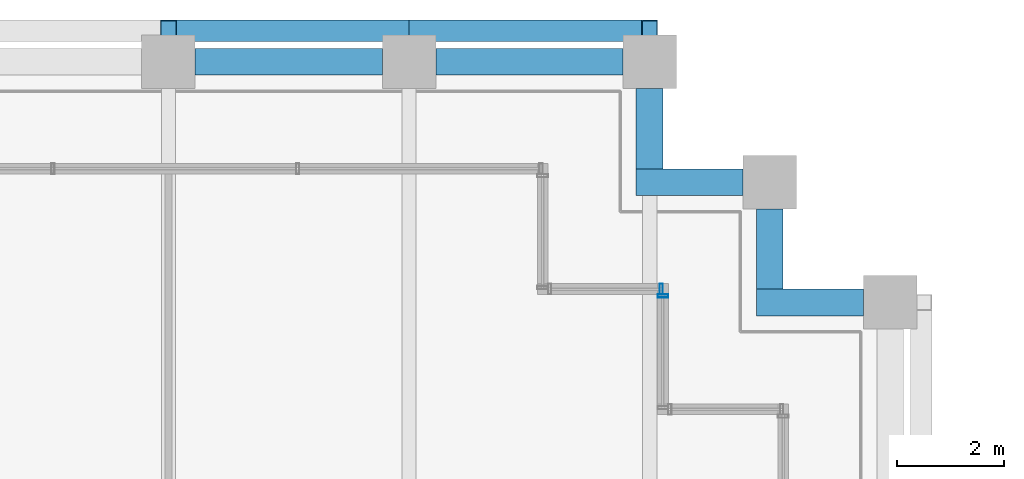
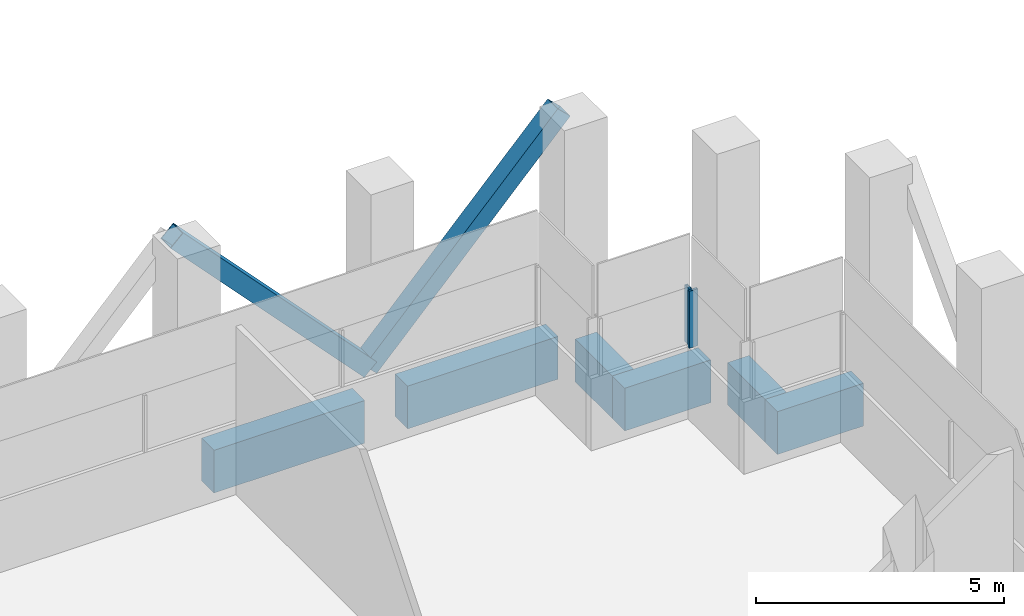
# One storey, part 20 of 48: 6 beams, 4 members, 2 elements without a shape of their own.
"""IFC4 building model written with IfcOpenShell, lengths in metres."""

from ifc_helpers import new_model, si_unit, direction, frame, origin, origin_2d, place, context, subcontext, project, spatial, rectangle, hollow_rectangle, extrude, material, material_profile, profile_set, type_object, element, aggregate, save


model = new_model("IFC4")

# Units and contexts
model_context = context("Model", 3, precision=1e-05, world=origin(), true_north=direction((0.0, 1.0)))
body_context = subcontext(model_context, "Body", "Model", "MODEL_VIEW")
ifc_project = project(units=[si_unit("LENGTHUNIT", "METRE"), si_unit("AREAUNIT", "SQUARE_METRE"), si_unit("VOLUMEUNIT", "CUBIC_METRE"), si_unit("PLANEANGLEUNIT", "RADIAN"), si_unit("MASSUNIT", "GRAM", prefix="KILO")], contexts=[model_context])

# Site, building, storey
site_placement = place(None, origin())
site = spatial("IfcSite", under=ifc_project, at=site_placement, CompositionType="ELEMENT")
building_placement = place(site_placement, origin())
building = spatial("IfcBuilding", under=site, at=building_placement, Name="Altepetl Exchange Towers", CompositionType="ELEMENT")
storey_placement = place(building_placement, frame((0.0, 0.0, 138.800048828125)))
storey = spatial("IfcBuildingStorey", under=building, at=storey_placement, Name="L34 Refuge and sky lobby", CompositionType="ELEMENT", Elevation=138.800048828125)

# Members
ifc_material_1 = material(Name="Steel S355", Category="steel")
ifc_material_profile_1 = material_profile(ifc_material_1, hollow_rectangle(XDim=0.406005859375, YDim=0.406005859375, WallThickness=0.014892578125, at=origin_2d()), Name="HSS406X406X15.9")
ifc_profile_set_1 = profile_set([ifc_material_profile_1], Name="Steel S355")
member_type_1 = type_object("IfcMemberType", Name="Belt diagonal HSS406X406X15.9", PredefinedType="BRACE", material=ifc_profile_set_1)
for number, where, z_axis, x_axis, name in (
    (1, (67.5, 72.580078125, 4.75), (-0.687744647911, 0.0, -0.725952683906), (0.0, -1.0, 0.0), "brc:A:L34:013"),
    (2, (63.0, 72.580078125, 0.0), (-0.687744647911, 0.0, 0.725952683906), (0.0, -1.0, 0.0), "brc:A:L34:014"),
):
    element("IfcMember", number, at=place(storey_placement, frame(where, z_axis=z_axis, x_axis=x_axis)), inside=storey, type_object=member_type_1, Name=name, PredefinedType="BRACE", context=body_context, shape_type="SweptSolid", body=[
        extrude(hollow_rectangle(XDim=0.406005859375, YDim=0.406005859375, WallThickness=0.014892578125, at=origin_2d()), origin(), (0.0, 0.0, 1.0), 6.543212890625),
    ])

# Curtain wall, member
ifc_material_2 = material(Name="Aluminium 6063-T6 glazing", Category="aluminium")
curtain_wall_type = type_object("IfcCurtainWallType", Name="Refuge slit glazing system", PredefinedType="NOTDEFINED", material=ifc_material_2)
curtain_wall_1_placement = place(storey_placement, origin())
curtain_wall_1 = element("IfcCurtainWall", 3, at=curtain_wall_1_placement, inside=storey, type_object=curtain_wall_type, Name="CW3 run", PredefinedType="NOTDEFINED")
ifc_material_3 = material(Name="Aluminium 6063-T6", Category="aluminium")
ifc_material_profile_2 = material_profile(ifc_material_3, hollow_rectangle(XDim=0.06005859375, YDim=0.199951171875, WallThickness=0.0029296875, at=origin_2d()), Name="Mullion 60x200 aluminium")
ifc_profile_set_2 = profile_set([ifc_material_profile_2], Name="Aluminium 6063-T6")
member_type_2 = type_object("IfcMemberType", Name="Mullion 60x200 aluminium", PredefinedType="MULLION", material=ifc_profile_set_2)
member_1_placement = place(storey_placement, frame((67.75, 67.6201171875, 1.800048828125), z_axis=(0.0, 0.0, 1.0), x_axis=(0.0, 1.0, 0.0)))
member_1 = element("IfcMember", 4, at=member_1_placement, type_object=member_type_2, Name="MU2 mullion", PredefinedType="MULLION", context=body_context, shape_type="SweptSolid", body=[
    extrude(hollow_rectangle(XDim=0.06005859375, YDim=0.199951171875, WallThickness=0.0029296875, at=origin_2d()), origin(), (0.0, 0.0, 1.0), 1.39990234375),
])
aggregate(curtain_wall_1, [member_1])

curtain_wall_2_placement = place(storey_placement, origin())
curtain_wall_2 = element("IfcCurtainWall", 5, at=curtain_wall_2_placement, inside=storey, type_object=curtain_wall_type, Name="CW3 run", PredefinedType="NOTDEFINED")
member_2_placement = place(storey_placement, frame((67.719970703125, 67.75, 1.800048828125), z_axis=(0.0, 0.0, 1.0), x_axis=(-1.0, 0.0, 0.0)))
member_2 = element("IfcMember", 6, at=member_2_placement, type_object=member_type_2, Name="MU2 mullion", PredefinedType="MULLION", context=body_context, shape_type="SweptSolid", body=[
    extrude(hollow_rectangle(XDim=0.06005859375, YDim=0.199951171875, WallThickness=0.0029296875, at=origin_2d()), origin(), (0.0, 0.0, 1.0), 1.39990234375),
])
aggregate(curtain_wall_2, [member_2])

# Beams
ifc_material_4 = material(Name="Concrete C50/60 precast with cantera rosa facing", Category="concrete")
ifc_material_profile_3 = material_profile(ifc_material_4, rectangle(XDim=0.5, YDim=1.050048828125, at=origin_2d()), Name="500 x 1050")
ifc_profile_set_3 = profile_set([ifc_material_profile_3], Name="Concrete C50/60 precast with cantera rosa facing")
beam_type = type_object("IfcBeamType", Name="Spandrel beam 500x1050 cantera rosa", PredefinedType="SPANDREL", material=ifc_profile_set_3)
beam_1_placement = place(storey_placement, frame((71.5, 67.5, -0.72509765625), z_axis=(-1.0, 0.0, 0.0), x_axis=(0.0, -1.0, 0.0)))
element("IfcBeam", 7, at=beam_1_placement, inside=storey, type_object=beam_type, Name="sp:A:L34:020", PredefinedType="SPANDREL", context=body_context, shape_type="SweptSolid", body=[
    extrude(rectangle(XDim=0.5, YDim=1.050048828125, at=origin_2d()), origin(), (0.0, 0.0, 1.0), 2.0),
])
beam_2_placement = place(storey_placement, frame((69.75, 67.75, -0.72509765625), z_axis=(0.0, 1.0, 0.0), x_axis=(-1.0, 0.0, 0.0)))
element("IfcBeam", 8, at=beam_2_placement, inside=storey, type_object=beam_type, Name="sp:A:L34:021", PredefinedType="SPANDREL", context=body_context, shape_type="SweptSolid", body=[
    extrude(rectangle(XDim=0.5, YDim=1.050048828125, at=origin_2d()), origin(), (0.0, 0.0, 1.0), 1.5),
])
beam_3_placement = place(storey_placement, frame((69.25, 69.75, -0.72509765625), z_axis=(-1.0, 0.0, 0.0), x_axis=(0.0, -1.0, 0.0)))
element("IfcBeam", 9, at=beam_3_placement, inside=storey, type_object=beam_type, Name="sp:A:L34:022", PredefinedType="SPANDREL", context=body_context, shape_type="SweptSolid", body=[
    extrude(rectangle(XDim=0.5, YDim=1.050048828125, at=origin_2d()), origin(), (0.0, 0.0, 1.0), 2.0),
])
beam_4_placement = place(storey_placement, frame((67.5, 70.0, -0.72509765625), z_axis=(0.0, 1.0, 0.0), x_axis=(-1.0, 0.0, 0.0)))
element("IfcBeam", 10, at=beam_4_placement, inside=storey, type_object=beam_type, Name="sp:A:L34:023", PredefinedType="SPANDREL", context=body_context, shape_type="SweptSolid", body=[
    extrude(rectangle(XDim=0.5, YDim=1.050048828125, at=origin_2d()), origin(), (0.0, 0.0, 1.0), 1.5),
])
for number, where, z_axis, x_axis, name in (
    (11, (67.0, 72.0, -0.72509765625), (-1.0, 0.0, 0.0), (0.0, -1.0, 0.0), "sp:A:L34:024"),
    (12, (62.5, 72.0, -0.72509765625), (-1.0, 0.0, 0.0), (0.0, -1.0, 0.0), "sp:A:L34:025"),
):
    element("IfcBeam", number, at=place(storey_placement, frame(where, z_axis=z_axis, x_axis=x_axis)), inside=storey, type_object=beam_type, Name=name, PredefinedType="SPANDREL", context=body_context, shape_type="SweptSolid", body=[
        extrude(rectangle(XDim=0.5, YDim=1.050048828125, at=origin_2d()), origin(), (0.0, 0.0, 1.0), 3.5),
    ])

save(model, "model.ifc")
